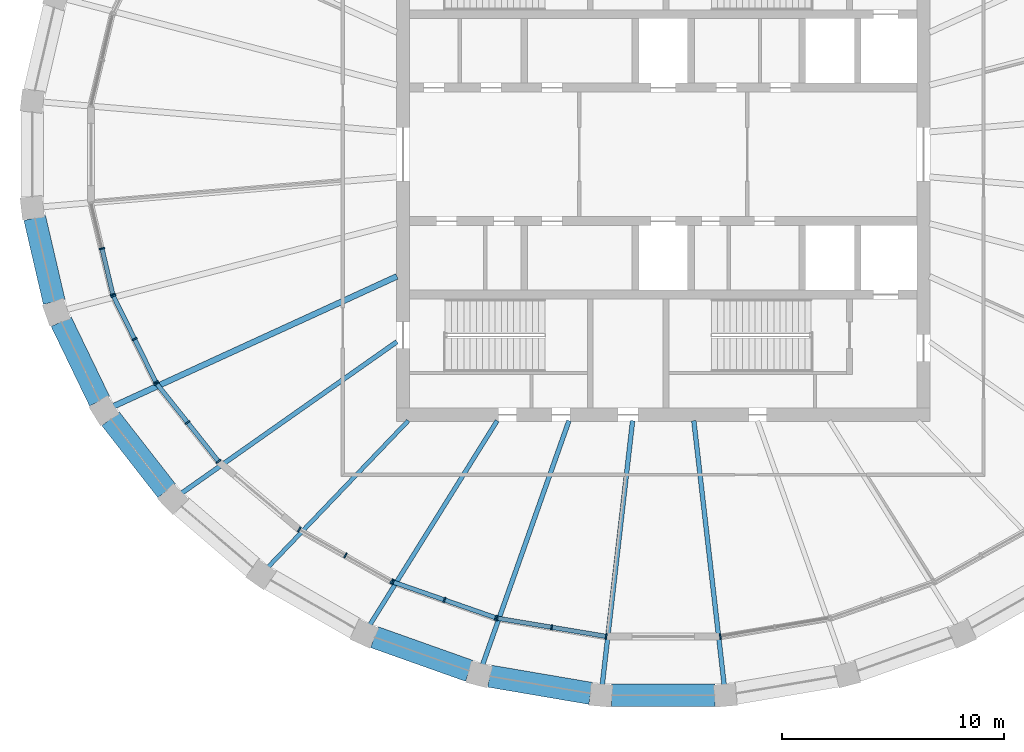
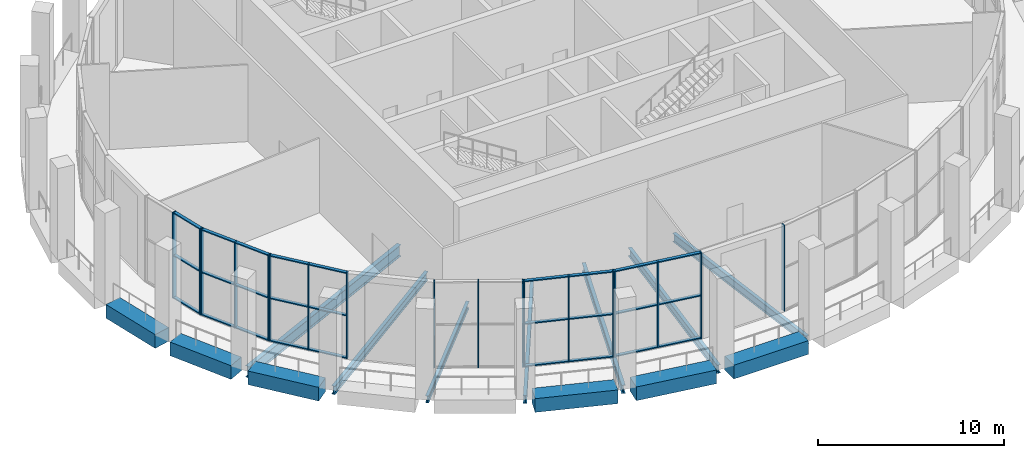
# One storey, part 2 of 15: 45 members, 13 beams, 7 elements without a shape of their own.
"""IFC4 building model written with IfcOpenShell, lengths in metres."""

from ifc_helpers import new_model, si_unit, direction, frame, origin, origin_2d, place, context, subcontext, project, spatial, rectangle, i_section, extrude, material, material_profile, profile_set, type_object, element, aggregate, save


model = new_model("IFC4")

# Units and contexts
model_context = context("Model", 3, precision=1e-05, world=origin(), true_north=direction((0.0, 1.0)))
body_context = subcontext(model_context, "Body", "Model", "MODEL_VIEW")
ifc_project = project(units=[si_unit("LENGTHUNIT", "METRE"), si_unit("AREAUNIT", "SQUARE_METRE"), si_unit("VOLUMEUNIT", "CUBIC_METRE"), si_unit("PLANEANGLEUNIT", "RADIAN"), si_unit("MASSUNIT", "GRAM", prefix="KILO")], contexts=[model_context])

# Site, building, storey
site_placement = place(None, origin())
site = spatial("IfcSite", under=ifc_project, at=site_placement, CompositionType="ELEMENT")
building_placement = place(site_placement, origin())
building = spatial("IfcBuilding", under=site, at=building_placement, Name="Halqa Exchange Tower", CompositionType="ELEMENT")
storey_placement = place(building_placement, frame((0.0, 0.0, 343.300048828125)))
storey = spatial("IfcBuildingStorey", under=building, at=storey_placement, Name="L80", CompositionType="ELEMENT", Elevation=343.300048828125)

# Beams
ifc_material_1 = material(Name="Steel S355", Category="steel")
ifc_material_profile_1 = material_profile(ifc_material_1, i_section(OverallWidth=0.18994140625, OverallDepth=0.449951171875, WebThickness=0.009521484375, FlangeThickness=0.0146484375, FilletRadius=0.02099609375, at=origin_2d()), Name="IPE 450")
ifc_profile_set_1 = profile_set([ifc_material_profile_1], Name="Steel S355")
beam_type_1 = type_object("IfcBeamType", Name="Floor beam IPE 450", PredefinedType="BEAM", material=ifc_profile_set_1)
beam_1_placement = place(storey_placement, frame((-11.462890625, -11.97216796875, -0.574951171875), z_axis=(-0.6915759213, -0.722303776175, 0.0), x_axis=(0.722303776175, -0.6915759213, 0.0)))
element("IfcBeam", 1, at=beam_1_placement, inside=storey, type_object=beam_type_1, Name="Radial beam 21", PredefinedType="BEAM", context=body_context, shape_type="SweptSolid", body=[
    extrude(i_section(OverallWidth=0.18994140625, OverallDepth=0.449951171875, WebThickness=0.009521484375, FlangeThickness=0.0146484375, FilletRadius=0.02099609375, at=origin_2d()), origin(), (0.0, 0.0, 1.0), 9.192626953125),
])
ifc_material_profile_2 = material_profile(ifc_material_1, i_section(OverallWidth=0.199951171875, OverallDepth=0.5, WebThickness=0.01025390625, FlangeThickness=0.01611328125, FilletRadius=0.02099609375, at=origin_2d()), Name="IPE 500")
ifc_profile_set_2 = profile_set([ifc_material_profile_2], Name="Steel S355")
beam_type_2 = type_object("IfcBeamType", Name="Floor beam IPE 500", PredefinedType="BEAM", material=ifc_profile_set_2)
beam_2_placement = place(storey_placement, frame((-7.4658203125, -11.97216796875, -0.60009765625), z_axis=(-0.529137326003, -0.848536204431, 0.0), x_axis=(0.848536204431, -0.529137326003, 0.0)))
element("IfcBeam", 2, at=beam_2_placement, inside=storey, type_object=beam_type_2, Name="Radial beam 22", PredefinedType="BEAM", context=body_context, shape_type="SweptSolid", body=[
    extrude(i_section(OverallWidth=0.199951171875, OverallDepth=0.5, WebThickness=0.01025390625, FlangeThickness=0.01611328125, FilletRadius=0.02099609375, at=origin_2d()), origin(), (0.0, 0.0, 1.0), 10.904541015625),
])
ifc_material_profile_3 = material_profile(ifc_material_1, i_section(OverallWidth=0.2099609375, OverallDepth=0.550048828125, WebThickness=0.010986328125, FlangeThickness=0.01708984375, FilletRadius=0.02392578125, at=origin_2d()), Name="IPE 550")
ifc_profile_set_3 = profile_set([ifc_material_profile_3], Name="Steel S355")
beam_type_3 = type_object("IfcBeamType", Name="Floor beam IPE 550", PredefinedType="BEAM", material=ifc_profile_set_3)
beam_3_placement = place(storey_placement, frame((-11.97265625, -8.422119140625, -0.625), z_axis=(-0.817914568296, -0.57533969007, 0.0), x_axis=(0.57533969007, -0.817914568296, 0.0)))
element("IfcBeam", 3, at=beam_3_placement, inside=storey, type_object=beam_type_3, Name="Radial beam 20", PredefinedType="BEAM", context=body_context, shape_type="SweptSolid", body=[
    extrude(i_section(OverallWidth=0.2099609375, OverallDepth=0.550048828125, WebThickness=0.010986328125, FlangeThickness=0.01708984375, FilletRadius=0.02392578125, at=origin_2d()), origin(), (0.0, 0.0, 1.0), 11.92138671875),
])
beam_4_placement = place(storey_placement, frame((-4.23681640625, -11.971923828125, -0.625), z_axis=(-0.333622781905, -0.942706656067, 0.0), x_axis=(0.942706656067, -0.333622781905, 0.0)))
element("IfcBeam", 4, at=beam_4_placement, inside=storey, type_object=beam_type_3, Name="Radial beam 23", PredefinedType="BEAM", context=body_context, shape_type="SweptSolid", body=[
    extrude(i_section(OverallWidth=0.2099609375, OverallDepth=0.550048828125, WebThickness=0.010986328125, FlangeThickness=0.01708984375, FilletRadius=0.02392578125, at=origin_2d()), origin(), (0.0, 0.0, 1.0), 11.723876953125),
])
for number, where, z_axis, x_axis, name in (
    (5, (-1.37548828125, -11.9716796875, -0.625), (-0.114162628095, -0.993462074941, 0.0), (0.993462074941, -0.114162628095, 0.0), "Radial beam 24"),
    (6, (1.37548828125, -11.9716796875, -0.625), (0.114162628095, -0.993462074941, 0.0), (0.993462074941, 0.114162628095, 0.0), "Radial beam 25"),
):
    element("IfcBeam", number, at=place(storey_placement, frame(where, z_axis=z_axis, x_axis=x_axis)), inside=storey, type_object=beam_type_3, Name=name, PredefinedType="BEAM", context=body_context, shape_type="SweptSolid", body=[
        extrude(i_section(OverallWidth=0.2099609375, OverallDepth=0.550048828125, WebThickness=0.010986328125, FlangeThickness=0.01708984375, FilletRadius=0.02392578125, at=origin_2d()), origin(), (0.0, 0.0, 1.0), 12.048583984375),
    ])
ifc_material_profile_4 = material_profile(ifc_material_1, i_section(OverallWidth=0.264892578125, OverallDepth=0.7529296875, WebThickness=0.01318359375, FlangeThickness=0.01708984375, FilletRadius=0.01708984375, at=origin_2d()), Name="IPE 750x147")
ifc_profile_set_4 = profile_set([ifc_material_profile_4], Name="Steel S355")
beam_type_4 = type_object("IfcBeamType", Name="Floor beam IPE 750x147", PredefinedType="BEAM", material=ifc_profile_set_4)
beam_5_placement = place(storey_placement, frame((-11.972412109375, -5.485107421875, -0.7265625), z_axis=(-0.909126834486, -0.416519385884, 0.0), x_axis=(0.416519385884, -0.909126834486, 0.0)))
element("IfcBeam", 7, at=beam_5_placement, inside=storey, type_object=beam_type_4, Name="Radial beam 19", PredefinedType="BEAM", context=body_context, shape_type="SweptSolid", body=[
    extrude(i_section(OverallWidth=0.264892578125, OverallDepth=0.7529296875, WebThickness=0.01318359375, FlangeThickness=0.01708984375, FilletRadius=0.01708984375, at=origin_2d()), origin(), (0.0, 0.0, 1.0), 14.10205078125),
])

# Curtain wall, members
ifc_material_2 = material(Name="Anodised aluminium and clear glass", Category="aluminium")
curtain_wall_type = type_object("IfcCurtainWallType", Name="Observation deck glazing", PredefinedType="NOTDEFINED", material=ifc_material_2)
curtain_wall_1_placement = place(storey_placement, origin())
curtain_wall_1 = element("IfcCurtainWall", 8, at=curtain_wall_1_placement, inside=storey, type_object=curtain_wall_type, Name="Observation deck glazing run G17", PredefinedType="NOTDEFINED")
ifc_material_3 = material(Name="Anodised aluminium", Category="aluminium")
ifc_material_profile_5 = material_profile(ifc_material_3, rectangle(XDim=0.239990234375, YDim=0.070068359375, at=origin_2d()), Name="AL 70x240")
ifc_profile_set_5 = profile_set([ifc_material_profile_5], Name="Anodised aluminium")
member_type_1 = type_object("IfcMemberType", Name="Observation deck glazing mullion 70 x 240", PredefinedType="MULLION", material=ifc_profile_set_5)
member_1_placement = place(storey_placement, frame((-25.23095703125, -4.2333984375, 0.0), z_axis=(0.0, 0.0, 1.0), x_axis=(0.97319169906, 0.229995471437, 0.0)))
member_1 = element("IfcMember", 9, at=member_1_placement, type_object=member_type_1, Name="G17 mullion 2", PredefinedType="MULLION", context=body_context, shape_type="SweptSolid", body=[
    extrude(rectangle(XDim=0.239990234375, YDim=0.070068359375, at=origin_2d()), origin(), (0.0, 0.0, 1.0), 5.64990234375),
])
member_2_placement = place(storey_placement, frame((-24.74365234375, -6.29541015625, 0.0), z_axis=(0.0, 0.0, 1.0), x_axis=(0.97319169906, 0.229995471437, 0.0)))
member_2 = element("IfcMember", 10, at=member_2_placement, type_object=member_type_1, Name="G17 mullion 3", PredefinedType="MULLION", context=body_context, shape_type="SweptSolid", body=[
    extrude(rectangle(XDim=0.239990234375, YDim=0.070068359375, at=origin_2d()), origin(), (0.0, 0.0, 1.0), 5.64990234375),
])

curtain_wall_2_placement = place(storey_placement, origin())
curtain_wall_2 = element("IfcCurtainWall", 11, at=curtain_wall_2_placement, inside=storey, type_object=curtain_wall_type, Name="Observation deck glazing run G18", PredefinedType="NOTDEFINED")
member_3_placement = place(storey_placement, frame((-24.719970703125, -6.36083984375, 0.0), z_axis=(0.0, 0.0, 1.0), x_axis=(0.897214741349, 0.441594506199, 0.0)))
member_3 = element("IfcMember", 12, at=member_3_placement, type_object=member_type_1, Name="G18 mullion 1", PredefinedType="MULLION", context=body_context, shape_type="SweptSolid", body=[
    extrude(rectangle(XDim=0.239990234375, YDim=0.070068359375, at=origin_2d()), origin(), (0.0, 0.0, 1.0), 5.64990234375),
])
member_4_placement = place(storey_placement, frame((-23.76416015625, -8.302978515625, 0.0), z_axis=(0.0, 0.0, 1.0), x_axis=(0.897214741349, 0.441594506199, 0.0)))
member_4 = element("IfcMember", 13, at=member_4_placement, type_object=member_type_1, Name="G18 mullion 2", PredefinedType="MULLION", context=body_context, shape_type="SweptSolid", body=[
    extrude(rectangle(XDim=0.239990234375, YDim=0.070068359375, at=origin_2d()), origin(), (0.0, 0.0, 1.0), 5.64990234375),
])
member_5_placement = place(storey_placement, frame((-22.808349609375, -10.2451171875, 0.0), z_axis=(0.0, 0.0, 1.0), x_axis=(0.897214741349, 0.441594506199, 0.0)))
member_5 = element("IfcMember", 14, at=member_5_placement, type_object=member_type_1, Name="G18 mullion 3", PredefinedType="MULLION", context=body_context, shape_type="SweptSolid", body=[
    extrude(rectangle(XDim=0.239990234375, YDim=0.070068359375, at=origin_2d()), origin(), (0.0, 0.0, 1.0), 5.64990234375),
])

curtain_wall_3_placement = place(storey_placement, origin())
curtain_wall_3 = element("IfcCurtainWall", 15, at=curtain_wall_3_placement, inside=storey, type_object=curtain_wall_type, Name="Observation deck glazing run G19", PredefinedType="NOTDEFINED")
member_6_placement = place(storey_placement, frame((-22.771240234375, -10.3037109375, 0.0), z_axis=(0.0, 0.0, 1.0), x_axis=(0.783162355834, 0.621817275737, 0.0)))
member_6 = element("IfcMember", 16, at=member_6_placement, type_object=member_type_1, Name="G19 mullion 1", PredefinedType="MULLION", context=body_context, shape_type="SweptSolid", body=[
    extrude(rectangle(XDim=0.239990234375, YDim=0.070068359375, at=origin_2d()), origin(), (0.0, 0.0, 1.0), 5.64990234375),
])
member_7_placement = place(storey_placement, frame((-21.3837890625, -12.05126953125, 0.0), z_axis=(0.0, 0.0, 1.0), x_axis=(0.783162355834, 0.621817275737, 0.0)))
member_7 = element("IfcMember", 17, at=member_7_placement, type_object=member_type_1, Name="G19 mullion 2", PredefinedType="MULLION", context=body_context, shape_type="SweptSolid", body=[
    extrude(rectangle(XDim=0.239990234375, YDim=0.070068359375, at=origin_2d()), origin(), (0.0, 0.0, 1.0), 5.64990234375),
])
member_8_placement = place(storey_placement, frame((-19.996337890625, -13.798583984375, 0.0), z_axis=(0.0, 0.0, 1.0), x_axis=(0.783162355834, 0.621817275737, 0.0)))
member_8 = element("IfcMember", 18, at=member_8_placement, type_object=member_type_1, Name="G19 mullion 3", PredefinedType="MULLION", context=body_context, shape_type="SweptSolid", body=[
    extrude(rectangle(XDim=0.239990234375, YDim=0.070068359375, at=origin_2d()), origin(), (0.0, 0.0, 1.0), 5.64990234375),
])

curtain_wall_4_placement = place(storey_placement, origin())
curtain_wall_4 = element("IfcCurtainWall", 19, at=curtain_wall_4_placement, inside=storey, type_object=curtain_wall_type, Name="Observation deck glazing run G21", PredefinedType="NOTDEFINED")
member_9_placement = place(storey_placement, frame((-16.359130859375, -16.860107421875, 0.0), z_axis=(0.0, 0.0, 1.0), x_axis=(0.490158094997, 0.871633547948, 0.0)))
member_9 = element("IfcMember", 20, at=member_9_placement, type_object=member_type_1, Name="G21 mullion 1", PredefinedType="MULLION", context=body_context, shape_type="SweptSolid", body=[
    extrude(rectangle(XDim=0.239990234375, YDim=0.070068359375, at=origin_2d()), origin(), (0.0, 0.0, 1.0), 5.64990234375),
])
member_10_placement = place(storey_placement, frame((-14.283203125, -18.02734375, 0.0), z_axis=(0.0, 0.0, 1.0), x_axis=(0.490158094997, 0.871633547948, 0.0)))
member_10 = element("IfcMember", 21, at=member_10_placement, type_object=member_type_1, Name="G21 mullion 2", PredefinedType="MULLION", context=body_context, shape_type="SweptSolid", body=[
    extrude(rectangle(XDim=0.239990234375, YDim=0.070068359375, at=origin_2d()), origin(), (0.0, 0.0, 1.0), 5.64990234375),
])
member_11_placement = place(storey_placement, frame((-12.207275390625, -19.19482421875, 0.0), z_axis=(0.0, 0.0, 1.0), x_axis=(0.490158094997, 0.871633547948, 0.0)))
member_11 = element("IfcMember", 22, at=member_11_placement, type_object=member_type_1, Name="G21 mullion 3", PredefinedType="MULLION", context=body_context, shape_type="SweptSolid", body=[
    extrude(rectangle(XDim=0.239990234375, YDim=0.070068359375, at=origin_2d()), origin(), (0.0, 0.0, 1.0), 5.64990234375),
])
aggregate(curtain_wall_4, [member_9, member_10, member_11])

curtain_wall_5_placement = place(storey_placement, origin())
curtain_wall_5 = element("IfcCurtainWall", 23, at=curtain_wall_5_placement, inside=storey, type_object=curtain_wall_type, Name="Observation deck glazing run G22", PredefinedType="NOTDEFINED")
member_12_placement = place(storey_placement, frame((-12.143798828125, -19.2236328125, 0.0), z_axis=(0.0, 0.0, 1.0), x_axis=(0.329160021888, 0.9442741551, 0.0)))
member_12 = element("IfcMember", 24, at=member_12_placement, type_object=member_type_1, Name="G22 mullion 1", PredefinedType="MULLION", context=body_context, shape_type="SweptSolid", body=[
    extrude(rectangle(XDim=0.239990234375, YDim=0.070068359375, at=origin_2d()), origin(), (0.0, 0.0, 1.0), 5.64990234375),
])
member_13_placement = place(storey_placement, frame((-9.837158203125, -20.027587890625, 0.0), z_axis=(0.0, 0.0, 1.0), x_axis=(0.329160021888, 0.9442741551, 0.0)))
member_13 = element("IfcMember", 25, at=member_13_placement, type_object=member_type_1, Name="G22 mullion 2", PredefinedType="MULLION", context=body_context, shape_type="SweptSolid", body=[
    extrude(rectangle(XDim=0.239990234375, YDim=0.070068359375, at=origin_2d()), origin(), (0.0, 0.0, 1.0), 5.64990234375),
])
member_14_placement = place(storey_placement, frame((-7.53076171875, -20.83154296875, 0.0), z_axis=(0.0, 0.0, 1.0), x_axis=(0.329160021888, 0.9442741551, 0.0)))
member_14 = element("IfcMember", 26, at=member_14_placement, type_object=member_type_1, Name="G22 mullion 3", PredefinedType="MULLION", context=body_context, shape_type="SweptSolid", body=[
    extrude(rectangle(XDim=0.239990234375, YDim=0.070068359375, at=origin_2d()), origin(), (0.0, 0.0, 1.0), 5.64990234375),
])

curtain_wall_6_placement = place(storey_placement, origin())
curtain_wall_6 = element("IfcCurtainWall", 27, at=curtain_wall_6_placement, inside=storey, type_object=curtain_wall_type, Name="Observation deck glazing run G23", PredefinedType="NOTDEFINED")
member_15_placement = place(storey_placement, frame((-7.463134765625, -20.848876953125, 0.0), z_axis=(0.0, 0.0, 1.0), x_axis=(0.165117129007, 0.986273964834, 0.0)))
member_15 = element("IfcMember", 28, at=member_15_placement, type_object=member_type_1, Name="G23 mullion 1", PredefinedType="MULLION", context=body_context, shape_type="SweptSolid", body=[
    extrude(rectangle(XDim=0.239990234375, YDim=0.070068359375, at=origin_2d()), origin(), (0.0, 0.0, 1.0), 5.64990234375),
])
member_16_placement = place(storey_placement, frame((-5.0146484375, -21.2587890625, 0.0), z_axis=(0.0, 0.0, 1.0), x_axis=(0.165117129007, 0.986273964834, 0.0)))
member_16 = element("IfcMember", 29, at=member_16_placement, type_object=member_type_1, Name="G23 mullion 2", PredefinedType="MULLION", context=body_context, shape_type="SweptSolid", body=[
    extrude(rectangle(XDim=0.239990234375, YDim=0.070068359375, at=origin_2d()), origin(), (0.0, 0.0, 1.0), 5.64990234375),
])
member_17_placement = place(storey_placement, frame((-2.56591796875, -21.668701171875, 0.0), z_axis=(0.0, 0.0, 1.0), x_axis=(0.165117129007, 0.986273964834, 0.0)))
member_17 = element("IfcMember", 30, at=member_17_placement, type_object=member_type_1, Name="G23 mullion 3", PredefinedType="MULLION", context=body_context, shape_type="SweptSolid", body=[
    extrude(rectangle(XDim=0.239990234375, YDim=0.070068359375, at=origin_2d()), origin(), (0.0, 0.0, 1.0), 5.64990234375),
])

# Curtain wall, member
curtain_wall_7_placement = place(storey_placement, origin())
curtain_wall_7 = element("IfcCurtainWall", 31, at=curtain_wall_7_placement, inside=storey, type_object=curtain_wall_type, Name="Observation deck glazing run G25", PredefinedType="NOTDEFINED")
member_18_placement = place(storey_placement, frame((2.56591796875, -21.668701171875, 0.0), z_axis=(0.0, 0.0, 1.0), x_axis=(-0.165117129007, 0.986273964834, 0.0)))
member_18 = element("IfcMember", 32, at=member_18_placement, type_object=member_type_1, Name="G25 mullion 1", PredefinedType="MULLION", context=body_context, shape_type="SweptSolid", body=[
    extrude(rectangle(XDim=0.239990234375, YDim=0.070068359375, at=origin_2d()), origin(), (0.0, 0.0, 1.0), 5.64990234375),
])
aggregate(curtain_wall_7, [member_18])

# Member
ifc_material_profile_6 = material_profile(ifc_material_3, rectangle(XDim=0.199951171875, YDim=0.070068359375, at=origin_2d()), Name="AL 70x200")
ifc_profile_set_6 = profile_set([ifc_material_profile_6], Name="Anodised aluminium")
member_type_2 = type_object("IfcMemberType", Name="Observation deck glazing transom 70 x 200", PredefinedType="USERDEFINED", material=ifc_profile_set_6)
member_19_placement = place(storey_placement, frame((-25.222900390625, -4.267578125, 0.034912109375), z_axis=(0.229982362929, -0.973194796914, 0.0), x_axis=(0.973194796914, 0.229982362929, 0.0)))
member_19 = element("IfcMember", 33, at=member_19_placement, type_object=member_type_2, Name="G17 transom 2.1", ObjectType="TRANSOM", PredefinedType="USERDEFINED", context=body_context, shape_type="SweptSolid", body=[
    extrude(rectangle(XDim=0.199951171875, YDim=0.070068359375, at=origin_2d()), origin(), (0.0, 0.0, 1.0), 2.048828125),
])

member_20_placement = place(storey_placement, frame((-25.222900390625, -4.267578125, 2.824951171875), z_axis=(0.229982362929, -0.973194796914, 0.0), x_axis=(0.973194796914, 0.229982362929, 0.0)))
member_20 = element("IfcMember", 34, at=member_20_placement, type_object=member_type_2, Name="G17 transom 2.2", ObjectType="TRANSOM", PredefinedType="USERDEFINED", context=body_context, shape_type="SweptSolid", body=[
    extrude(rectangle(XDim=0.199951171875, YDim=0.070068359375, at=origin_2d()), origin(), (0.0, 0.0, 1.0), 2.048828125),
])

member_21_placement = place(storey_placement, frame((-25.222900390625, -4.267578125, 5.614990234375), z_axis=(0.229982362929, -0.973194796914, 0.0), x_axis=(0.973194796914, 0.229982362929, 0.0)))
member_21 = element("IfcMember", 35, at=member_21_placement, type_object=member_type_2, Name="G17 transom 2.3", ObjectType="TRANSOM", PredefinedType="USERDEFINED", context=body_context, shape_type="SweptSolid", body=[
    extrude(rectangle(XDim=0.199951171875, YDim=0.070068359375, at=origin_2d()), origin(), (0.0, 0.0, 1.0), 2.048828125),
])

aggregate(curtain_wall_1, [member_1, member_2, member_19, member_20, member_21])

member_22_placement = place(storey_placement, frame((-24.70458984375, -6.392333984375, 0.034912109375), z_axis=(0.441656599677, -0.89718417728, 0.0), x_axis=(0.89718417728, 0.441656599677, 0.0)))
member_22 = element("IfcMember", 36, at=member_22_placement, type_object=member_type_2, Name="G18 transom 1.1", ObjectType="TRANSOM", PredefinedType="USERDEFINED", context=body_context, shape_type="SweptSolid", body=[
    extrude(rectangle(XDim=0.199951171875, YDim=0.070068359375, at=origin_2d()), origin(), (0.0, 0.0, 1.0), 2.094482421875),
])

member_23_placement = place(storey_placement, frame((-24.70458984375, -6.392333984375, 2.824951171875), z_axis=(0.441656599677, -0.89718417728, 0.0), x_axis=(0.89718417728, 0.441656599677, 0.0)))
member_23 = element("IfcMember", 37, at=member_23_placement, type_object=member_type_2, Name="G18 transom 1.2", ObjectType="TRANSOM", PredefinedType="USERDEFINED", context=body_context, shape_type="SweptSolid", body=[
    extrude(rectangle(XDim=0.199951171875, YDim=0.070068359375, at=origin_2d()), origin(), (0.0, 0.0, 1.0), 2.094482421875),
])

member_24_placement = place(storey_placement, frame((-24.70458984375, -6.392333984375, 5.614990234375), z_axis=(0.441656599677, -0.89718417728, 0.0), x_axis=(0.89718417728, 0.441656599677, 0.0)))
member_24 = element("IfcMember", 38, at=member_24_placement, type_object=member_type_2, Name="G18 transom 1.3", ObjectType="TRANSOM", PredefinedType="USERDEFINED", context=body_context, shape_type="SweptSolid", body=[
    extrude(rectangle(XDim=0.199951171875, YDim=0.070068359375, at=origin_2d()), origin(), (0.0, 0.0, 1.0), 2.094482421875),
])

member_25_placement = place(storey_placement, frame((-23.748779296875, -8.33447265625, 0.034912109375), z_axis=(0.441656599677, -0.89718417728, 0.0), x_axis=(0.89718417728, 0.441656599677, 0.0)))
member_25 = element("IfcMember", 39, at=member_25_placement, type_object=member_type_2, Name="G18 transom 2.1", ObjectType="TRANSOM", PredefinedType="USERDEFINED", context=body_context, shape_type="SweptSolid", body=[
    extrude(rectangle(XDim=0.199951171875, YDim=0.070068359375, at=origin_2d()), origin(), (0.0, 0.0, 1.0), 2.094482421875),
])

member_26_placement = place(storey_placement, frame((-23.748779296875, -8.33447265625, 2.824951171875), z_axis=(0.441656599677, -0.89718417728, 0.0), x_axis=(0.89718417728, 0.441656599677, 0.0)))
member_26 = element("IfcMember", 40, at=member_26_placement, type_object=member_type_2, Name="G18 transom 2.2", ObjectType="TRANSOM", PredefinedType="USERDEFINED", context=body_context, shape_type="SweptSolid", body=[
    extrude(rectangle(XDim=0.199951171875, YDim=0.070068359375, at=origin_2d()), origin(), (0.0, 0.0, 1.0), 2.094482421875),
])

member_27_placement = place(storey_placement, frame((-23.748779296875, -8.33447265625, 5.614990234375), z_axis=(0.441656599677, -0.89718417728, 0.0), x_axis=(0.89718417728, 0.441656599677, 0.0)))
member_27 = element("IfcMember", 41, at=member_27_placement, type_object=member_type_2, Name="G18 transom 2.3", ObjectType="TRANSOM", PredefinedType="USERDEFINED", context=body_context, shape_type="SweptSolid", body=[
    extrude(rectangle(XDim=0.199951171875, YDim=0.070068359375, at=origin_2d()), origin(), (0.0, 0.0, 1.0), 2.094482421875),
])

aggregate(curtain_wall_2, [member_3, member_4, member_5, member_22, member_23, member_24, member_25, member_26, member_27])

member_28_placement = place(storey_placement, frame((-22.749267578125, -10.331298828125, 0.034912109375), z_axis=(0.621770069229, -0.78319983466, 0.0), x_axis=(0.78319983466, 0.621770069229, 0.0)))
member_28 = element("IfcMember", 42, at=member_28_placement, type_object=member_type_2, Name="G19 transom 1.1", ObjectType="TRANSOM", PredefinedType="USERDEFINED", context=body_context, shape_type="SweptSolid", body=[
    extrude(rectangle(XDim=0.199951171875, YDim=0.070068359375, at=origin_2d()), origin(), (0.0, 0.0, 1.0), 2.1611328125),
])

member_29_placement = place(storey_placement, frame((-22.749267578125, -10.331298828125, 2.824951171875), z_axis=(0.621770069229, -0.78319983466, 0.0), x_axis=(0.78319983466, 0.621770069229, 0.0)))
member_29 = element("IfcMember", 43, at=member_29_placement, type_object=member_type_2, Name="G19 transom 1.2", ObjectType="TRANSOM", PredefinedType="USERDEFINED", context=body_context, shape_type="SweptSolid", body=[
    extrude(rectangle(XDim=0.199951171875, YDim=0.070068359375, at=origin_2d()), origin(), (0.0, 0.0, 1.0), 2.1611328125),
])

member_30_placement = place(storey_placement, frame((-22.749267578125, -10.331298828125, 5.614990234375), z_axis=(0.621770069229, -0.78319983466, 0.0), x_axis=(0.78319983466, 0.621770069229, 0.0)))
member_30 = element("IfcMember", 44, at=member_30_placement, type_object=member_type_2, Name="G19 transom 1.3", ObjectType="TRANSOM", PredefinedType="USERDEFINED", context=body_context, shape_type="SweptSolid", body=[
    extrude(rectangle(XDim=0.199951171875, YDim=0.070068359375, at=origin_2d()), origin(), (0.0, 0.0, 1.0), 2.1611328125),
])

member_31_placement = place(storey_placement, frame((-21.36181640625, -12.07861328125, 0.034912109375), z_axis=(0.621770069229, -0.78319983466, 0.0), x_axis=(0.78319983466, 0.621770069229, 0.0)))
member_31 = element("IfcMember", 45, at=member_31_placement, type_object=member_type_2, Name="G19 transom 2.1", ObjectType="TRANSOM", PredefinedType="USERDEFINED", context=body_context, shape_type="SweptSolid", body=[
    extrude(rectangle(XDim=0.199951171875, YDim=0.070068359375, at=origin_2d()), origin(), (0.0, 0.0, 1.0), 2.1611328125),
])

member_32_placement = place(storey_placement, frame((-21.36181640625, -12.07861328125, 2.824951171875), z_axis=(0.621770069229, -0.78319983466, 0.0), x_axis=(0.78319983466, 0.621770069229, 0.0)))
member_32 = element("IfcMember", 46, at=member_32_placement, type_object=member_type_2, Name="G19 transom 2.2", ObjectType="TRANSOM", PredefinedType="USERDEFINED", context=body_context, shape_type="SweptSolid", body=[
    extrude(rectangle(XDim=0.199951171875, YDim=0.070068359375, at=origin_2d()), origin(), (0.0, 0.0, 1.0), 2.1611328125),
])

member_33_placement = place(storey_placement, frame((-21.36181640625, -12.07861328125, 5.614990234375), z_axis=(0.621770069229, -0.78319983466, 0.0), x_axis=(0.78319983466, 0.621770069229, 0.0)))
member_33 = element("IfcMember", 47, at=member_33_placement, type_object=member_type_2, Name="G19 transom 2.3", ObjectType="TRANSOM", PredefinedType="USERDEFINED", context=body_context, shape_type="SweptSolid", body=[
    extrude(rectangle(XDim=0.199951171875, YDim=0.070068359375, at=origin_2d()), origin(), (0.0, 0.0, 1.0), 2.1611328125),
])

aggregate(curtain_wall_3, [member_6, member_7, member_8, member_28, member_29, member_30, member_31, member_32, member_33])

member_34_placement = place(storey_placement, frame((-12.110595703125, -19.235107421875, 0.034912109375), z_axis=(0.94426193798, -0.329195067524, 0.0), x_axis=(0.329195067524, 0.94426193798, 0.0)))
member_34 = element("IfcMember", 48, at=member_34_placement, type_object=member_type_2, Name="G22 transom 1.1", ObjectType="TRANSOM", PredefinedType="USERDEFINED", context=body_context, shape_type="SweptSolid", body=[
    extrude(rectangle(XDim=0.199951171875, YDim=0.070068359375, at=origin_2d()), origin(), (0.0, 0.0, 1.0), 2.37255859375),
])

member_35_placement = place(storey_placement, frame((-12.110595703125, -19.235107421875, 2.824951171875), z_axis=(0.94426193798, -0.329195067524, 0.0), x_axis=(0.329195067524, 0.94426193798, 0.0)))
member_35 = element("IfcMember", 49, at=member_35_placement, type_object=member_type_2, Name="G22 transom 1.2", ObjectType="TRANSOM", PredefinedType="USERDEFINED", context=body_context, shape_type="SweptSolid", body=[
    extrude(rectangle(XDim=0.199951171875, YDim=0.070068359375, at=origin_2d()), origin(), (0.0, 0.0, 1.0), 2.37255859375),
])

member_36_placement = place(storey_placement, frame((-12.110595703125, -19.235107421875, 5.614990234375), z_axis=(0.94426193798, -0.329195067524, 0.0), x_axis=(0.329195067524, 0.94426193798, 0.0)))
member_36 = element("IfcMember", 50, at=member_36_placement, type_object=member_type_2, Name="G22 transom 1.3", ObjectType="TRANSOM", PredefinedType="USERDEFINED", context=body_context, shape_type="SweptSolid", body=[
    extrude(rectangle(XDim=0.199951171875, YDim=0.070068359375, at=origin_2d()), origin(), (0.0, 0.0, 1.0), 2.37255859375),
])

member_37_placement = place(storey_placement, frame((-9.80419921875, -20.0390625, 0.034912109375), z_axis=(0.944273088174, -0.329163082605, 0.0), x_axis=(0.329163082605, 0.944273088174, 0.0)))
member_37 = element("IfcMember", 51, at=member_37_placement, type_object=member_type_2, Name="G22 transom 2.1", ObjectType="TRANSOM", PredefinedType="USERDEFINED", context=body_context, shape_type="SweptSolid", body=[
    extrude(rectangle(XDim=0.199951171875, YDim=0.070068359375, at=origin_2d()), origin(), (0.0, 0.0, 1.0), 2.372802734375),
])

member_38_placement = place(storey_placement, frame((-9.80419921875, -20.0390625, 2.824951171875), z_axis=(0.944273088174, -0.329163082605, 0.0), x_axis=(0.329163082605, 0.944273088174, 0.0)))
member_38 = element("IfcMember", 52, at=member_38_placement, type_object=member_type_2, Name="G22 transom 2.2", ObjectType="TRANSOM", PredefinedType="USERDEFINED", context=body_context, shape_type="SweptSolid", body=[
    extrude(rectangle(XDim=0.199951171875, YDim=0.070068359375, at=origin_2d()), origin(), (0.0, 0.0, 1.0), 2.372802734375),
])

member_39_placement = place(storey_placement, frame((-9.80419921875, -20.0390625, 5.614990234375), z_axis=(0.944273088174, -0.329163082605, 0.0), x_axis=(0.329163082605, 0.944273088174, 0.0)))
member_39 = element("IfcMember", 53, at=member_39_placement, type_object=member_type_2, Name="G22 transom 2.3", ObjectType="TRANSOM", PredefinedType="USERDEFINED", context=body_context, shape_type="SweptSolid", body=[
    extrude(rectangle(XDim=0.199951171875, YDim=0.070068359375, at=origin_2d()), origin(), (0.0, 0.0, 1.0), 2.372802734375),
])

aggregate(curtain_wall_5, [member_12, member_13, member_14, member_34, member_35, member_36, member_37, member_38, member_39])

member_40_placement = place(storey_placement, frame((-7.428466796875, -20.854736328125, 0.034912109375), z_axis=(0.986284301217, -0.165055376081, 0.0), x_axis=(0.165055376081, 0.986284301217, 0.0)))
member_40 = element("IfcMember", 54, at=member_40_placement, type_object=member_type_2, Name="G23 transom 1.1", ObjectType="TRANSOM", PredefinedType="USERDEFINED", context=body_context, shape_type="SweptSolid", body=[
    extrude(rectangle(XDim=0.199951171875, YDim=0.070068359375, at=origin_2d()), origin(), (0.0, 0.0, 1.0), 2.41259765625),
])

member_41_placement = place(storey_placement, frame((-7.428466796875, -20.854736328125, 2.824951171875), z_axis=(0.986284301217, -0.165055376081, 0.0), x_axis=(0.165055376081, 0.986284301217, 0.0)))
member_41 = element("IfcMember", 55, at=member_41_placement, type_object=member_type_2, Name="G23 transom 1.2", ObjectType="TRANSOM", PredefinedType="USERDEFINED", context=body_context, shape_type="SweptSolid", body=[
    extrude(rectangle(XDim=0.199951171875, YDim=0.070068359375, at=origin_2d()), origin(), (0.0, 0.0, 1.0), 2.41259765625),
])

member_42_placement = place(storey_placement, frame((-7.428466796875, -20.854736328125, 5.614990234375), z_axis=(0.986284301217, -0.165055376081, 0.0), x_axis=(0.165055376081, 0.986284301217, 0.0)))
member_42 = element("IfcMember", 56, at=member_42_placement, type_object=member_type_2, Name="G23 transom 1.3", ObjectType="TRANSOM", PredefinedType="USERDEFINED", context=body_context, shape_type="SweptSolid", body=[
    extrude(rectangle(XDim=0.199951171875, YDim=0.070068359375, at=origin_2d()), origin(), (0.0, 0.0, 1.0), 2.41259765625),
])

member_43_placement = place(storey_placement, frame((-4.97998046875, -21.2646484375, 0.034912109375), z_axis=(0.986284301217, -0.165055376081, 0.0), x_axis=(0.165055376081, 0.986284301217, 0.0)))
member_43 = element("IfcMember", 57, at=member_43_placement, type_object=member_type_2, Name="G23 transom 2.1", ObjectType="TRANSOM", PredefinedType="USERDEFINED", context=body_context, shape_type="SweptSolid", body=[
    extrude(rectangle(XDim=0.199951171875, YDim=0.070068359375, at=origin_2d()), origin(), (0.0, 0.0, 1.0), 2.41259765625),
])

member_44_placement = place(storey_placement, frame((-4.97998046875, -21.2646484375, 2.824951171875), z_axis=(0.986284301217, -0.165055376081, 0.0), x_axis=(0.165055376081, 0.986284301217, 0.0)))
member_44 = element("IfcMember", 58, at=member_44_placement, type_object=member_type_2, Name="G23 transom 2.2", ObjectType="TRANSOM", PredefinedType="USERDEFINED", context=body_context, shape_type="SweptSolid", body=[
    extrude(rectangle(XDim=0.199951171875, YDim=0.070068359375, at=origin_2d()), origin(), (0.0, 0.0, 1.0), 2.41259765625),
])

member_45_placement = place(storey_placement, frame((-4.97998046875, -21.2646484375, 5.614990234375), z_axis=(0.986284301217, -0.165055376081, 0.0), x_axis=(0.165055376081, 0.986284301217, 0.0)))
member_45 = element("IfcMember", 59, at=member_45_placement, type_object=member_type_2, Name="G23 transom 2.3", ObjectType="TRANSOM", PredefinedType="USERDEFINED", context=body_context, shape_type="SweptSolid", body=[
    extrude(rectangle(XDim=0.199951171875, YDim=0.070068359375, at=origin_2d()), origin(), (0.0, 0.0, 1.0), 2.41259765625),
])

aggregate(curtain_wall_6, [member_15, member_16, member_17, member_40, member_41, member_42, member_43, member_44, member_45])

# Beams
ifc_material_4 = material(Name="Concrete C60/75", Category="concrete")
ifc_material_profile_7 = material_profile(ifc_material_4, rectangle(XDim=1.0, YDim=0.89990234375, at=origin_2d()), Name="1000 x 900")
ifc_profile_set_7 = profile_set([ifc_material_profile_7], Name="Concrete C60/75")
beam_type_5 = type_object("IfcBeamType", Name="RC spandrel beam 1000 x 900 C60/75", PredefinedType="SPANDREL", material=ifc_profile_set_7)
beam_6_placement = place(storey_placement, frame((-28.25537109375, -2.857177734375, -0.449951171875), z_axis=(0.226093384766, -0.974105631523, 0.0), x_axis=(0.974105631523, 0.226093384766, 0.0)))
element("IfcBeam", 60, at=beam_6_placement, inside=storey, type_object=beam_type_5, Name="Spandrel 17", PredefinedType="SPANDREL", context=body_context, shape_type="SweptSolid", body=[
    extrude(rectangle(XDim=1.0, YDim=0.89990234375, at=origin_2d()), origin(), (0.0, 0.0, 1.0), 3.872314453125),
])
beam_7_placement = place(storey_placement, frame((-27.06591796875, -7.519287109375, -0.449951171875), z_axis=(0.43505216676, -0.900405248873, 0.0), x_axis=(0.900405248873, 0.43505216676, 0.0)))
element("IfcBeam", 61, at=beam_7_placement, inside=storey, type_object=beam_type_5, Name="Spandrel 18", PredefinedType="SPANDREL", context=body_context, shape_type="SweptSolid", body=[
    extrude(rectangle(XDim=1.0, YDim=0.89990234375, at=origin_2d()), origin(), (0.0, 0.0, 1.0), 3.964111328125),
])
beam_8_placement = place(storey_placement, frame((-24.8427734375, -11.89013671875, -0.449951171875), z_axis=(0.61480594236, -0.788678421943, 0.0), x_axis=(0.788678421943, 0.61480594236, 0.0)))
element("IfcBeam", 62, at=beam_8_placement, inside=storey, type_object=beam_type_5, Name="Spandrel 19", PredefinedType="SPANDREL", context=body_context, shape_type="SweptSolid", body=[
    extrude(rectangle(XDim=1.0, YDim=0.89990234375, at=origin_2d()), origin(), (0.0, 0.0, 1.0), 4.10009765625),
])
beam_9_placement = place(storey_placement, frame((-12.98828125, -21.70263671875, -0.449951171875), z_axis=(0.94236088808, -0.334598201755, 0.0), x_axis=(0.334598201755, 0.94236088808, 0.0)))
element("IfcBeam", 63, at=beam_9_placement, inside=storey, type_object=beam_type_5, Name="Spandrel 22", PredefinedType="SPANDREL", context=body_context, shape_type="SweptSolid", body=[
    extrude(rectangle(XDim=1.0, YDim=0.89990234375, at=origin_2d()), origin(), (0.0, 0.0, 1.0), 4.530517578125),
])
beam_10_placement = place(storey_placement, frame((-7.805419921875, -23.456298828125, -0.449951171875), z_axis=(0.985773042695, -0.168081849987, 0.0), x_axis=(0.168081849987, 0.985773042695, 0.0)))
element("IfcBeam", 64, at=beam_10_placement, inside=storey, type_object=beam_type_5, Name="Spandrel 23", PredefinedType="SPANDREL", context=body_context, shape_type="SweptSolid", body=[
    extrude(rectangle(XDim=1.0, YDim=0.89990234375, at=origin_2d()), origin(), (0.0, 0.0, 1.0), 4.6103515625),
])
beam_11_placement = place(storey_placement, frame((-2.319580078125, -24.31103515625, -0.449951171875), z_axis=(1.0, 0.0, 0.0), x_axis=(0.0, 1.0, 0.0)))
element("IfcBeam", 65, at=beam_11_placement, inside=storey, type_object=beam_type_5, Name="Spandrel 24", PredefinedType="SPANDREL", context=body_context, shape_type="SweptSolid", body=[
    extrude(rectangle(XDim=1.0, YDim=0.89990234375, at=origin_2d()), origin(), (0.0, 0.0, 1.0), 4.63916015625),
])

save(model, "model.ifc")
